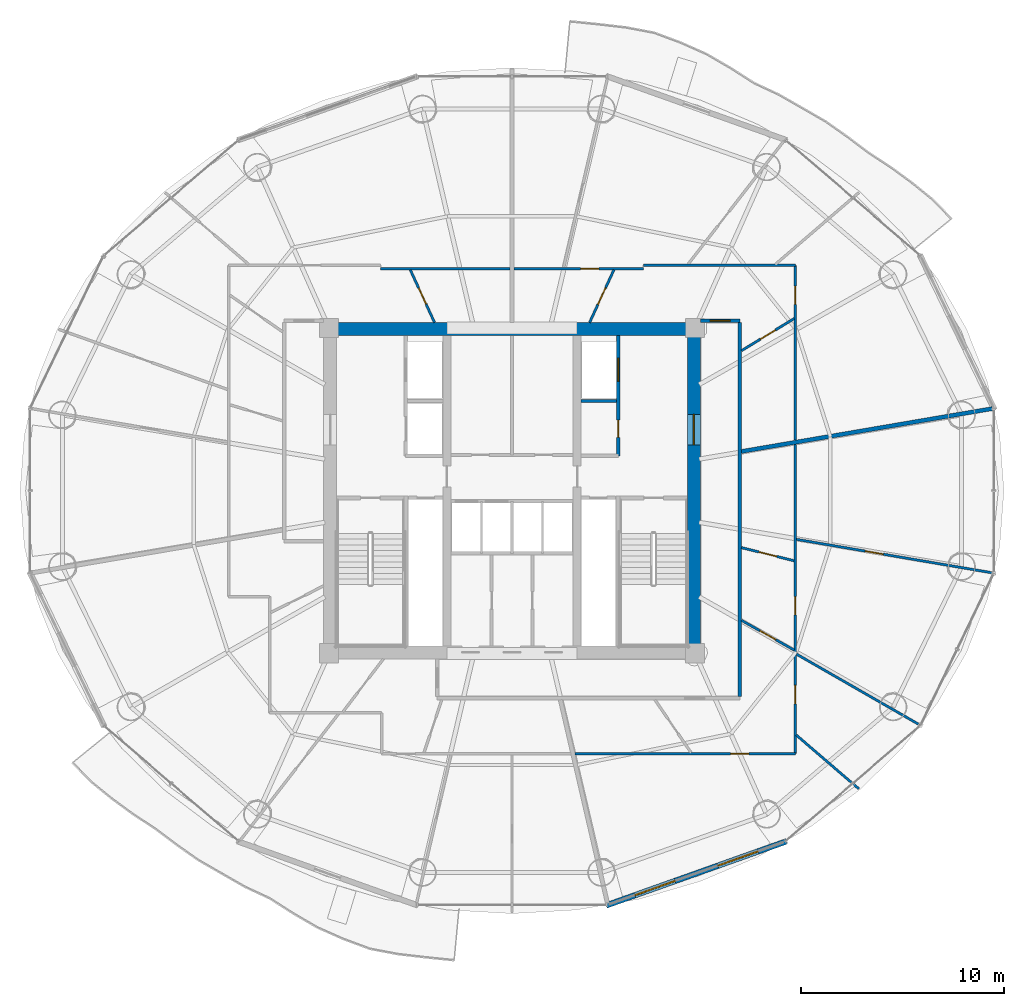
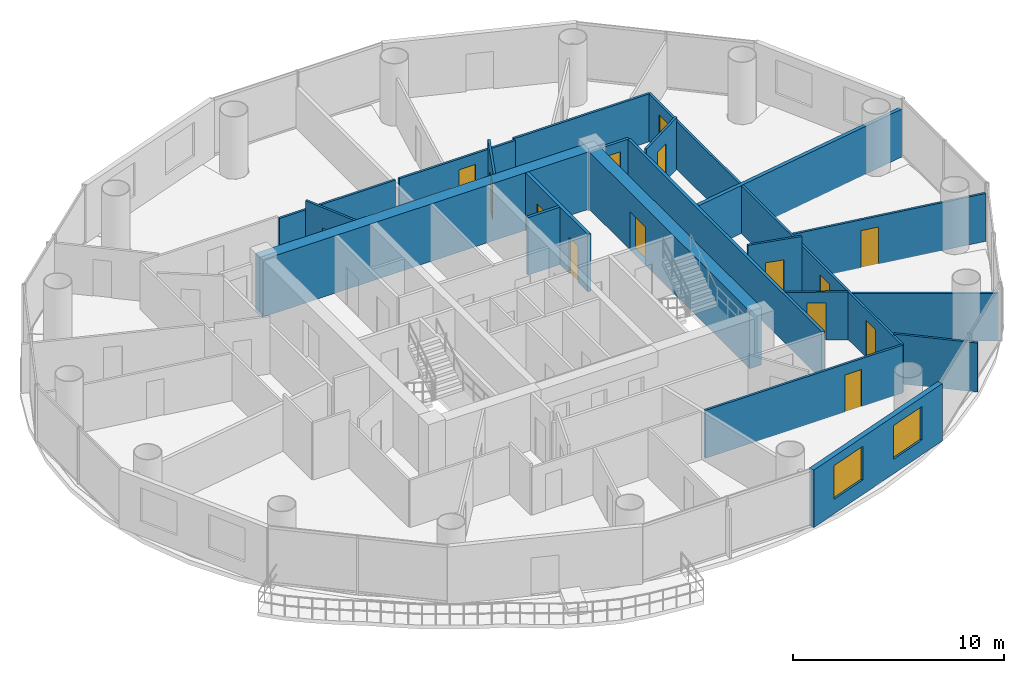
# One storey, part 22 of 26: 22 walls, 15 doors, 2 windows, 17 openings.
"""IFC4 building model written with IfcOpenShell, lengths in metres."""

import ifcopenshell
import ifcopenshell.guid

model = None  # the IFC model being written
_history = None  # IfcOwnerHistory: only IFC2X3 demands one
_inside = {}  # id of a spatial element -> (the spatial element, [elements in it])
_under = {}  # id of a project, library or spatial element -> (it, [spatial elements below it])
_declared = {}  # id of a project -> (the project, [libraries it declares])
_typed = {}  # id of a type object -> (the type object, [elements of that type])
_made_of = {}  # id of a material, layer set ... -> (it, [elements and type objects made of it])


def new_model(schema):
    """Start an empty IFC model of exactly this schema.

    Asked for "IFC4X3", IfcOpenShell would pick the latest addendum, in which some entities
    have other attributes; the version numbers below select the first issue.
    IFC2X3 requires an IfcOwnerHistory on every rooted entity: one is made here for all.
    """
    global model, _history
    if schema == "IFC4X3":
        model = ifcopenshell.file(schema_version=(4, 3, 0, 0))
    else:
        model = ifcopenshell.file(schema=schema)
    _inside.clear()
    _under.clear()
    _declared.clear()
    _typed.clear()
    _made_of.clear()
    _history = None
    if model.schema == "IFC2X3":
        org = make("IfcOrganization", Name="unknown")
        user = make(
            "IfcPersonAndOrganization",
            ThePerson=make("IfcPerson", FamilyName="unknown"),
            TheOrganization=org,
        )
        app = make(
            "IfcApplication",
            ApplicationDeveloper=org,
            Version="unknown",
            ApplicationFullName="unknown",
            ApplicationIdentifier="unknown",
        )
        _history = make(
            "IfcOwnerHistory",
            OwningUser=user,
            OwningApplication=app,
            ChangeAction="ADDED",
            CreationDate=0,
        )
    return model


def make(cls, **values):
    """One entity of the class cls with the attributes given. An attribute that is None is left unset."""
    return model.create_entity(
        cls, **{name: value for name, value in values.items() if value is not None}
    )


def rooted(cls, **values):
    """An entity with a GlobalId (a new one), such as an element, a storey or a relation."""
    return make(cls, GlobalId=ifcopenshell.guid.new(), OwnerHistory=_history, **values)


def si_unit(unit_type, name, prefix=None):
    """IfcSIUnit, for example si_unit("LENGTHUNIT", "METRE", prefix="MILLI")."""
    return make("IfcSIUnit", UnitType=unit_type, Prefix=prefix, Name=name)


def assignment(units):
    """IfcUnitAssignment: the units of a project."""
    return None if units is None else make("IfcUnitAssignment", Units=units)


def point(xyz):
    """IfcCartesianPoint."""
    return None if xyz is None else make("IfcCartesianPoint", Coordinates=xyz)


def direction(xyz):
    """IfcDirection."""
    return None if xyz is None else make("IfcDirection", DirectionRatios=xyz)


def frame(location, z_axis=None, x_axis=None):
    """IfcAxis2Placement3D, a coordinate frame: its origin and axes. An axis left out is left unset."""
    return make(
        "IfcAxis2Placement3D",
        Location=point(location),
        Axis=direction(z_axis),
        RefDirection=direction(x_axis),
    )


def frame_2d(location, x_axis=None):
    """IfcAxis2Placement2D, a coordinate frame in the plane: its origin and x axis."""
    return make(
        "IfcAxis2Placement2D", Location=point(location), RefDirection=direction(x_axis)
    )


def origin():
    """The frame at (0, 0, 0) with its axes left unset."""
    return frame((0.0, 0.0, 0.0))


def place(relative_to, where):
    """IfcLocalPlacement: puts the frame where relative to a parent placement (None: the world)."""
    return make(
        "IfcLocalPlacement", PlacementRelTo=relative_to, RelativePlacement=where
    )


def context(
    kind, dimensions, precision=None, world=None, true_north=None, identifier=None
):
    """IfcGeometricRepresentationContext, for example the 3D "Model" context."""
    return make(
        "IfcGeometricRepresentationContext",
        ContextIdentifier=identifier,
        ContextType=kind,
        CoordinateSpaceDimension=dimensions,
        Precision=precision,
        WorldCoordinateSystem=world,
        TrueNorth=true_north,
    )


def subcontext(parent, identifier, kind, view, scale=None):
    """IfcGeometricRepresentationSubContext, for example "Body" below "Model"."""
    return make(
        "IfcGeometricRepresentationSubContext",
        ContextIdentifier=identifier,
        ContextType=kind,
        ParentContext=parent,
        TargetScale=scale,
        TargetView=view,
    )


def project(units=None, contexts=None):
    """IfcProject with its units and contexts."""
    return rooted(
        "IfcProject",
        Name="project",
        RepresentationContexts=contexts,
        UnitsInContext=assignment(units),
    )


def spatial(cls, under=None, at=None, **own):
    """A site, building, storey or space (cls), placed at a placement, below another one or the project."""
    s = rooted(cls, ObjectPlacement=at, **own)
    if under is not None:
        _under.setdefault(under.id(), (under, []))[1].append(s)
    return s


def profile(cls, at=None, kind="AREA", **sizes):
    """A parametric profile (cls). Its sizes go by their IFC names, for example OverallWidth=200.0."""
    return make(cls, ProfileType=kind, Position=at, **sizes)


def rectangle(**sizes):
    """IfcRectangleProfileDef."""
    return profile("IfcRectangleProfileDef", **sizes)


def extrude(swept, where, along, depth):
    """IfcExtrudedAreaSolid: the profile swept, set in the frame where, extruded along a direction by depth."""
    return make(
        "IfcExtrudedAreaSolid",
        SweptArea=swept,
        Position=where,
        ExtrudedDirection=direction(along),
        Depth=depth,
    )


def shape(context_of_items, identifier, shape_type, items):
    """IfcShapeRepresentation: the items that make up one representation, for example the "Body"."""
    return make(
        "IfcShapeRepresentation",
        ContextOfItems=context_of_items,
        RepresentationIdentifier=identifier,
        RepresentationType=shape_type,
        Items=items,
    )


def source(mapping_origin, context_of_items, identifier, shape_type, items):
    """IfcRepresentationMap: a shape defined once, which mapped items show again and again."""
    return make(
        "IfcRepresentationMap",
        MappingOrigin=mapping_origin,
        MappedRepresentation=shape(context_of_items, identifier, shape_type, items),
    )


def transform(
    local_origin,
    x_axis=None,
    y_axis=None,
    z_axis=None,
    scale=None,
    scale2=None,
    scale3=None,
    uniform=True,
):
    """IfcCartesianTransformationOperator3D, or its non-uniform kind. x_axis, y_axis, z_axis: its Axis1, 2, 3."""
    if uniform:
        return make(
            "IfcCartesianTransformationOperator3D",
            Axis1=direction(x_axis),
            Axis2=direction(y_axis),
            LocalOrigin=point(local_origin),
            Scale=scale,
            Axis3=direction(z_axis),
        )
    return make(
        "IfcCartesianTransformationOperator3DnonUniform",
        Axis1=direction(x_axis),
        Axis2=direction(y_axis),
        LocalOrigin=point(local_origin),
        Scale=scale,
        Axis3=direction(z_axis),
        Scale2=scale2,
        Scale3=scale3,
    )


def mapped(mapping_source, mapping_target):
    """IfcMappedItem: shows the shape of a source again, moved by a transform."""
    return make(
        "IfcMappedItem", MappingSource=mapping_source, MappingTarget=mapping_target
    )


def material(Name=None, Category=None):
    """IfcMaterial."""
    return make("IfcMaterial", Name=Name, Category=Category)


def layer(
    of_material, thickness, ventilated=None, Name=None, Category=None, Priority=None
):
    """IfcMaterialLayer: one layer of a wall or slab, of a material (None: an air gap)."""
    return make(
        "IfcMaterialLayer",
        Material=of_material,
        LayerThickness=thickness,
        IsVentilated=ventilated,
        Name=Name,
        Category=Category,
        Priority=Priority,
    )


def layer_set(layers, Name=None):
    """IfcMaterialLayerSet."""
    return make("IfcMaterialLayerSet", MaterialLayers=layers, LayerSetName=Name)


def made_of(thing, what):
    """Note that an element or type object is made of a material, layer set ...; save() writes the relation."""
    if what is not None:
        _made_of.setdefault(what.id(), (what, []))[1].append(thing)
    return thing


def type_object(cls, material=None, **own):
    """A type object (cls), such as IfcWallType, which elements share."""
    return made_of(rooted(cls, **own), material)


def element(
    cls,
    number,
    at=None,
    inside=None,
    cuts=None,
    type_object=None,
    material=None,
    context=None,
    identifier="Body",
    shape_type=None,
    held_by="IfcProductDefinitionShape",
    body=None,
    shapes=None,
    **own,
):
    """One element of the class cls, such as IfcWall. Its Tag is "e" and its number.

    at: its placement. inside: the storey or other place that contains it. cuts: it is an
    opening in that element (IfcRelVoidsElement). A single representation is given by context,
    identifier, shape_type and body (its items); several are given by shapes. held_by: the class
    of the entity that holds the representations. save() writes the other relations.
    """
    e = rooted(cls, Tag="e%d" % number, ObjectPlacement=at, **own)
    if body is not None:
        shapes = [shape(context, identifier, shape_type, body)]
    if shapes is not None:
        e.Representation = make(held_by, Representations=shapes)
    if inside is not None:
        _inside.setdefault(inside.id(), (inside, []))[1].append(e)
    if cuts is not None:
        rooted(
            "IfcRelVoidsElement", RelatingBuildingElement=cuts, RelatedOpeningElement=e
        )
    if type_object is not None:
        _typed.setdefault(type_object.id(), (type_object, []))[1].append(e)
    return made_of(e, material)


def fill(opening, filler):
    """IfcRelFillsElement: the door or window that sits in an opening."""
    return rooted(
        "IfcRelFillsElement",
        RelatingOpeningElement=opening,
        RelatedBuildingElement=filler,
    )


def aggregate(whole, parts):
    """IfcRelAggregates: a whole, such as a stair, and the parts it consists of."""
    return rooted("IfcRelAggregates", RelatingObject=whole, RelatedObjects=parts)


def save(model, path):
    """Write the relations noted so far, then the file.

    IfcRelAggregates (storeys below a building ...), IfcRelContainedInSpatialStructure (elements
    in a storey), IfcRelDefinesByType, IfcRelAssociatesMaterial and IfcRelDeclares: one each for
    every whole, place, type object, material and project.
    """
    for whole, parts in _under.values():
        aggregate(whole, parts)
    for where, things in _inside.values():
        rooted(
            "IfcRelContainedInSpatialStructure",
            RelatedElements=things,
            RelatingStructure=where,
        )
    for kind, things in _typed.values():
        rooted("IfcRelDefinesByType", RelatedObjects=things, RelatingType=kind)
    for what, things in _made_of.values():
        rooted("IfcRelAssociatesMaterial", RelatedObjects=things, RelatingMaterial=what)
    for by, libraries in _declared.values():
        rooted("IfcRelDeclares", RelatingContext=by, RelatedDefinitions=libraries)
    model.write(path)


model = new_model("IFC4")

# Units and contexts
model_context = context("Model", 3, precision=1e-05, world=origin(), true_north=direction((-0.2419218956, 0.970295726276)))
body_context = subcontext(model_context, "Body", "Model", "MODEL_VIEW")
ifc_project = project(units=[si_unit("LENGTHUNIT", "METRE"), si_unit("AREAUNIT", "SQUARE_METRE"), si_unit("VOLUMEUNIT", "CUBIC_METRE"), si_unit("PLANEANGLEUNIT", "RADIAN"), si_unit("MASSUNIT", "GRAM", prefix="KILO")], contexts=[model_context])

# Site, building, storey
site_placement = place(None, origin())
site = spatial("IfcSite", under=ifc_project, at=site_placement, CompositionType="ELEMENT")
building_placement = place(site_placement, origin())
building = spatial("IfcBuilding", under=site, at=building_placement, Name="Cobrevalo Terracotta Tower", CompositionType="ELEMENT")
storey_placement = place(building_placement, frame((0.0, 0.0, 142.60009765625)))
storey = spatial("IfcBuildingStorey", under=building, at=storey_placement, Name="L37", CompositionType="ELEMENT", Elevation=142.60009765625)

# Wall
ifc_material_1 = material(Name="Concrete C55", Category="concrete")
ifc_layer_1 = layer(ifc_material_1, 0.64990234375)
ifc_layer_set_1 = layer_set([ifc_layer_1], Name="Concrete C55")
wall_type_1 = type_object("IfcWallType", Name="Core shear wall 650 mm Concrete C55", PredefinedType="SHEAR", material=ifc_layer_set_1)
wall_1_placement = place(storey_placement, frame((28.72509765625, 34.75, 0.0), z_axis=(0.0, 0.0, 1.0), x_axis=(1.0, 0.0, 0.0)))
element("IfcWall", 1, at=wall_1_placement, inside=storey, type_object=wall_type_1, Name="L37 north core shear wall", PredefinedType="SHEAR", context=body_context, shape_type="SweptSolid", body=[
    extrude(rectangle(XDim=18.5498046875, YDim=0.64990234375, at=frame_2d((9.27490234375, 0.0))), origin(), (0.0, 0.0, 1.0), 3.329833984375),
])

# Wall, opening, door
wall_2_placement = place(storey_placement, frame((46.949951171875, 19.175048828125, 0.0), z_axis=(0.0, 0.0, 1.0), x_axis=(0.0, 1.0, 0.0)))
wall_2 = element("IfcWall", 2, at=wall_2_placement, inside=storey, type_object=wall_type_1, Name="L37 east core shear wall", PredefinedType="SHEAR", context=body_context, shape_type="SweptSolid", body=[
    extrude(rectangle(XDim=15.25, YDim=0.64990234375, at=frame_2d((7.625, 0.0))), origin(), (0.0, 0.0, 1.0), 3.329833984375),
])
opening_1_placement = place(wall_2_placement, frame((9.875, 0.0, 0.0)))
opening_1 = element("IfcOpeningElement", 3, at=opening_1_placement, cuts=wall_2, Name="Opening ID-14", PredefinedType="OPENING", context=body_context, shape_type="SweptSolid", body=[
    extrude(rectangle(XDim=1.5, YDim=2.199951171875, at=frame_2d((0.75, 1.10009765625))), frame((0.0, 0.3349609375, 0.0), z_axis=(0.0, -1.0, 0.0), x_axis=(1.0, 0.0, 0.0)), (0.0, 0.0, 1.0), 0.669921875),
])
ifc_material_2 = material(Name="Galvanized fire-rated steel", Category="steel")
door_type_1 = type_object("IfcDoorType", Name="Core cross-lobby double fire door 1500x2200 EI 90", OperationType="NOTDEFINED", PredefinedType="DOOR", material=ifc_material_2)
shared_shape_1 = source(origin(), body_context, "Body", "SweptSolid", [
    extrude(rectangle(XDim=1.5, YDim=2.199951171875, at=frame_2d((0.75, 1.10009765625))), frame((0.0, 0.02490234375, 0.0), z_axis=(0.0, -1.0, 0.0), x_axis=(1.0, 0.0, 0.0)), (0.0, 0.0, 1.0), 0.050048828125),
])
door_1_placement = place(opening_1_placement, frame((1.5, 0.0, 0.0), z_axis=(0.0, 0.0, 1.0), x_axis=(-1.0, 0.0, 0.0)))
door_1 = element("IfcDoor", 4, at=door_1_placement, inside=storey, type_object=door_type_1, Name="L37 east firefighting lobby entrance door", OperationType="DOUBLE_DOOR_SINGLE_SWING", OverallHeight=2.199951171875, OverallWidth=1.5, PredefinedType="DOOR", context=body_context, shape_type="MappedRepresentation", body=[
    mapped(shared_shape_1, transform((0.0, 0.0, 0.0), scale=1.0)),
])
fill(opening_1, door_1)

# Walls
ifc_material_3 = material(Name="Gypsum board on steel stud", Category="steel")
ifc_layer_2 = layer(ifc_material_3, 0.159912109375)
ifc_layer_set_2 = layer_set([ifc_layer_2], Name="Gypsum board on steel stud")
wall_type_2 = type_object("IfcWallType", Name="Fire-rated corridor acoustic partition wall 160 mm", PredefinedType="PARTITIONING", material=ifc_layer_set_2)
wall_3_placement = place(storey_placement, frame((41.389892578125, 31.219970703125, 0.0), z_axis=(0.0, 0.0, 1.0), x_axis=(1.0, 0.0, 0.0)))
element("IfcWall", 5, at=wall_3_placement, inside=storey, type_object=wall_type_2, Name="L37 interior partition IW-L37-FF2-M", PredefinedType="PARTITIONING", context=body_context, shape_type="SweptSolid", body=[
    extrude(rectangle(XDim=1.75, YDim=0.159912109375, at=frame_2d((0.875, 0.0))), origin(), (0.0, 0.0, 1.0), 3.329833984375),
])
wall_4_placement = place(storey_placement, frame((49.205078125, 16.675048828125, 0.0), z_axis=(0.0, 0.0, 1.0), x_axis=(0.0, 1.0, 0.0)))
element("IfcWall", 6, at=wall_4_placement, inside=storey, type_object=wall_type_2, Name="L37 interior partition IW-L37-COR-E", PredefinedType="PARTITIONING", context=body_context, shape_type="SweptSolid", body=[
    extrude(rectangle(XDim=18.39990234375, YDim=0.159912109375, at=frame_2d((9.199951171875, 0.0))), origin(), (0.0, 0.0, 1.0), 2.77587890625),
])

# Wall, opening, door
wall_5_placement = place(storey_placement, frame((47.27490234375, 35.155029296875, 0.0), z_axis=(0.0, 0.0, 1.0), x_axis=(1.0, 0.0, 0.0)))
wall_5 = element("IfcWall", 7, at=wall_5_placement, inside=storey, type_object=wall_type_2, Name="L37 interior partition IW-L37-COR-EN-CAP", PredefinedType="PARTITIONING", context=body_context, shape_type="SweptSolid", body=[
    extrude(rectangle(XDim=1.93017578125, YDim=0.159912109375, at=frame_2d((0.965087890625, 0.0))), origin(), (0.0, 0.0, 1.0), 2.77587890625),
])
opening_2_placement = place(wall_5_placement, frame((0.47509765625, 0.0, 0.0)))
opening_2 = element("IfcOpeningElement", 8, at=opening_2_placement, cuts=wall_5, Name="Opening ID-05", PredefinedType="OPENING", context=body_context, shape_type="SweptSolid", body=[
    extrude(rectangle(XDim=0.97998046875, YDim=2.199951171875, at=frame_2d((0.489990234375, 1.10009765625))), frame((0.0, 0.08984375, 0.0), z_axis=(0.0, -1.0, 0.0), x_axis=(1.0, 0.0, 0.0)), (0.0, 0.0, 1.0), 0.179931640625),
])
ifc_material_4 = material(Name="Solid hardwood timber", Category="wood")
door_type_2 = type_object("IfcDoorType", Name="Residence entrance fire-rated acoustic timber door 980x2200 EI 60", OperationType="NOTDEFINED", PredefinedType="DOOR", material=ifc_material_4)
shared_shape_2 = source(origin(), body_context, "Body", "SweptSolid", [
    extrude(rectangle(XDim=0.97998046875, YDim=2.199951171875, at=frame_2d((0.489990234375, 1.10009765625))), frame((0.0, 0.02490234375, 0.0), z_axis=(0.0, -1.0, 0.0), x_axis=(1.0, 0.0, 0.0)), (0.0, 0.0, 1.0), 0.050048828125),
])
door_2_placement = place(opening_2_placement, origin())
door_2 = element("IfcDoor", 9, at=door_2_placement, inside=storey, type_object=door_type_2, Name="Flat L37A fire-rated apartment entrance door", OperationType="SINGLE_SWING_LEFT", OverallHeight=2.199951171875, OverallWidth=0.97998046875, PredefinedType="DOOR", context=body_context, shape_type="MappedRepresentation", body=[
    mapped(shared_shape_2, transform((0.0, 0.0, 0.0), scale=1.0)),
])
fill(opening_2, door_2)

# Wall, openings, doors
ifc_layer_3 = layer(ifc_material_3, 0.179931640625)
ifc_layer_set_3 = layer_set([ifc_layer_3], Name="Gypsum board on steel stud")
wall_type_3 = type_object("IfcWallType", Name="Fire-rated shaft & lobby acoustic partition wall 180 mm", PredefinedType="PARTITIONING", material=ifc_layer_set_3)
wall_6_placement = place(storey_placement, frame((43.22998046875, 28.52001953125, 0.0), z_axis=(0.0, 0.0, 1.0), x_axis=(0.0, 1.0, 0.0)))
wall_6 = element("IfcWall", 10, at=wall_6_placement, inside=storey, type_object=wall_type_3, Name="L37 interior partition IW-L37-FF2-E", PredefinedType="PARTITIONING", context=body_context, shape_type="SweptSolid", body=[
    extrude(rectangle(XDim=5.905029296875, YDim=0.179931640625, at=frame_2d((2.95263671875, 0.0))), origin(), (0.0, 0.0, 1.0), 3.329833984375),
])
opening_3_placement = place(wall_6_placement, frame((0.905029296875, 0.0, 0.0)))
opening_3 = element("IfcOpeningElement", 11, at=opening_3_placement, cuts=wall_6, Name="Opening ID-22", PredefinedType="OPENING", context=body_context, shape_type="SweptSolid", body=[
    extrude(rectangle(XDim=0.85009765625, YDim=2.10009765625, at=frame_2d((0.425048828125, 1.050048828125))), frame((0.0, 0.10009765625, 0.0), z_axis=(0.0, -1.0, 0.0), x_axis=(1.0, 0.0, 0.0)), (0.0, 0.0, 1.0), 0.199951171875),
])
opening_4_placement = place(wall_6_placement, frame((3.655029296875, 0.0, 0.0)))
opening_4 = element("IfcOpeningElement", 12, at=opening_4_placement, cuts=wall_6, Name="Opening LD-02", PredefinedType="OPENING", context=body_context, shape_type="SweptSolid", body=[
    extrude(rectangle(XDim=1.14990234375, YDim=2.199951171875, at=frame_2d((0.574951171875, 1.10009765625))), frame((0.0, 0.10009765625, 0.0), z_axis=(0.0, -1.0, 0.0), x_axis=(1.0, 0.0, 0.0)), (0.0, 0.0, 1.0), 0.199951171875),
])
ifc_material_5 = material(Name="Powder-coated steel", Category="steel")
door_type_3 = type_object("IfcDoorType", Name="Riser shaft & meter closet fire access door 850x2100 EI 60", OperationType="NOTDEFINED", PredefinedType="DOOR", material=ifc_material_5)
shared_shape_3 = source(origin(), body_context, "Body", "SweptSolid", [
    extrude(rectangle(XDim=0.85009765625, YDim=2.10009765625, at=frame_2d((0.425048828125, 1.050048828125))), frame((0.0, 0.02490234375, 0.0), z_axis=(0.0, -1.0, 0.0), x_axis=(1.0, 0.0, 0.0)), (0.0, 0.0, 1.0), 0.050048828125),
])
door_3_placement = place(opening_3_placement, frame((0.85009765625, 0.0, 0.0), z_axis=(0.0, 0.0, 1.0), x_axis=(-1.0, 0.0, 0.0)))
door_3 = element("IfcDoor", 13, at=door_3_placement, inside=storey, type_object=door_type_3, Name="L37 housekeeping store door", OperationType="SINGLE_SWING_RIGHT", OverallHeight=2.10009765625, OverallWidth=0.85009765625, PredefinedType="DOOR", context=body_context, shape_type="MappedRepresentation", body=[
    mapped(shared_shape_3, transform((0.0, 0.0, 0.0), scale=1.0)),
])
fill(opening_3, door_3)
ifc_material_6 = material(Name="Brushed stainless steel", Category="steel")
door_type_4 = type_object("IfcDoorType", Name="Firefighting lift landing bi-parting sliding door 1150x2200 EI 120", OperationType="DOUBLE_DOOR_SLIDING", PredefinedType="DOOR", material=ifc_material_6)
shared_shape_4 = source(origin(), body_context, "Body", "SweptSolid", [
    extrude(rectangle(XDim=1.14990234375, YDim=2.199951171875, at=frame_2d((0.574951171875, 1.10009765625))), frame((0.0, 0.02490234375, 0.0), z_axis=(0.0, -1.0, 0.0), x_axis=(1.0, 0.0, 0.0)), (0.0, 0.0, 1.0), 0.050048828125),
])
door_4_placement = place(opening_4_placement, origin())
door_4 = element("IfcDoor", 14, at=door_4_placement, inside=storey, type_object=door_type_4, Name="L37 lift landing door FF-2", OperationType="DOUBLE_DOOR_SLIDING", OverallHeight=2.199951171875, OverallWidth=1.14990234375, PredefinedType="DOOR", context=body_context, shape_type="MappedRepresentation", body=[
    mapped(shared_shape_4, transform((0.0, 0.0, 0.0), scale=1.0)),
])
fill(opening_4, door_4)

# Wall
ifc_material_7 = material(Name="Autoclaved aerated concrete block", Category="concrete")
ifc_layer_4 = layer(ifc_material_7, 0.199951171875)
ifc_layer_set_4 = layer_set([ifc_layer_4], Name="Autoclaved aerated concrete block")
wall_type_4 = type_object("IfcWallType", Name="Fire-rated stair, shaft & demising masonry wall 200 mm", PredefinedType="PARTITIONING", material=ifc_layer_set_4)
wall_7_placement = place(storey_placement, frame((49.286865234375, 28.729736328125, 0.0), z_axis=(0.0, 0.0, 1.0), x_axis=(0.985698993845, 0.168515558725, 0.0)))
element("IfcWall", 15, at=wall_7_placement, inside=storey, type_object=wall_type_4, Name="L37 interior partition IW-L37-DEM-1", PredefinedType="PARTITIONING", context=body_context, shape_type="SweptSolid", body=[
    extrude(rectangle(XDim=12.517333984375, YDim=0.199951171875, at=frame_2d((6.2587890625, 0.0))), origin(), (0.0, 0.0, 1.0), 2.77587890625),
])

# Wall, openings, windows
ifc_layer_5 = layer(ifc_material_7, 0.280029296875)
ifc_layer_set_5 = layer_set([ifc_layer_5], Name="Autoclaved aerated concrete block")
wall_type_5 = type_object("IfcWallType", Name="Insulated tower spandrel & pier wall 280 mm with terracotta rainscreen", PredefinedType="SOLIDWALL", material=ifc_layer_set_5)
wall_8_placement = place(storey_placement, frame((42.639892578125, 6.40234375, 0.0), z_axis=(0.0, 0.0, 1.0), x_axis=(0.942103604331, 0.335321932934, 0.0)))
wall_8 = element("IfcWall", 16, at=wall_8_placement, inside=storey, type_object=wall_type_5, Name="L37 terracotta rainscreen pier wall S13", PredefinedType="SOLIDWALL", context=body_context, shape_type="SweptSolid", body=[
    extrude(rectangle(XDim=9.408203125, YDim=0.280029296875, at=frame_2d((4.7041015625, 0.0))), origin(), (0.0, 0.0, 1.0), 3.329833984375),
])
opening_5_placement = place(wall_8_placement, frame((1.490234375, 0.0, 0.85009765625)))
opening_5 = element("IfcOpeningElement", 17, at=opening_5_placement, cuts=wall_8, Name="Opening WN-10", PredefinedType="OPENING", context=body_context, shape_type="SweptSolid", body=[
    extrude(rectangle(XDim=2.10009765625, YDim=1.949951171875, at=frame_2d((1.050048828125, 0.97509765625))), frame((0.0, 0.14990234375, 0.0), z_axis=(0.0, -1.0, 0.0), x_axis=(1.0, 0.0, 0.0)), (0.0, 0.0, 1.0), 0.300048828125),
])
opening_6_placement = place(wall_8_placement, frame((5.818115234375, 0.0, 0.85009765625)))
opening_6 = element("IfcOpeningElement", 18, at=opening_6_placement, cuts=wall_8, Name="Opening WN-10", PredefinedType="OPENING", context=body_context, shape_type="SweptSolid", body=[
    extrude(rectangle(XDim=2.10009765625, YDim=1.949951171875, at=frame_2d((1.050048828125, 0.97509765625))), frame((0.0, 0.14990234375, 0.0), z_axis=(0.0, -1.0, 0.0), x_axis=(1.0, 0.0, 0.0)), (0.0, 0.0, 1.0), 0.300048828125),
])
ifc_material_8 = material(Name="Solar-control low-E double glazing", Category="glass")
window_type = type_object("IfcWindowType", Name="Wide panoramic low-E aluminium window 2100x1950", PartitioningType="SINGLE_PANEL", PredefinedType="WINDOW", material=ifc_material_8)
shared_shape_5 = source(origin(), body_context, "Body", "SweptSolid", [
    extrude(rectangle(XDim=2.10009765625, YDim=1.949951171875, at=frame_2d((1.050048828125, 0.97509765625))), frame((0.0, 0.030029296875, 0.0), z_axis=(0.0, -1.0, 0.0), x_axis=(1.0, 0.0, 0.0)), (0.0, 0.0, 1.0), 0.06005859375),
])
window_1_placement = place(opening_5_placement, origin())
window_1 = element("IfcWindow", 19, at=window_1_placement, inside=storey, type_object=window_type, Name="L37 suite window S13A", OverallHeight=1.949951171875, OverallWidth=2.10009765625, PartitioningType="SINGLE_PANEL", PredefinedType="WINDOW", context=body_context, shape_type="MappedRepresentation", body=[
    mapped(shared_shape_5, transform((0.0, 0.0, 0.0), scale=1.0)),
])
fill(opening_5, window_1)
window_2_placement = place(opening_6_placement, origin())
window_2 = element("IfcWindow", 20, at=window_2_placement, inside=storey, type_object=window_type, Name="L37 suite window S13B", OverallHeight=1.949951171875, OverallWidth=2.10009765625, PartitioningType="SINGLE_PANEL", PredefinedType="WINDOW", context=body_context, shape_type="MappedRepresentation", body=[
    mapped(shared_shape_5, transform((0.0, 0.0, 0.0), scale=1.0)),
])
fill(opening_6, window_2)

# Wall, opening, door
ifc_layer_6 = layer(ifc_material_3, 0.1201171875)
ifc_layer_set_6 = layer_set([ifc_layer_6], Name="Gypsum board on steel stud")
wall_type_6 = type_object("IfcWallType", Name="Residential internal acoustic stud partition 120 mm", PredefinedType="PARTITIONING", material=ifc_layer_set_6)
wall_9_placement = place(storey_placement, frame((38.10205078125, 37.72509765625, 0.0), z_axis=(0.0, 0.0, 1.0), x_axis=(1.0, 0.0, 0.0)))
wall_9 = element("IfcWall", 21, at=wall_9_placement, inside=storey, type_object=wall_type_6, Name="L37 interior partition IW-L37-U1-RING0_0", PredefinedType="PARTITIONING", context=body_context, shape_type="SweptSolid", body=[
    extrude(rectangle(XDim=6.363037109375, YDim=0.1201171875, at=frame_2d((3.181640625, 0.0))), origin(), (0.0, 0.0, 1.0), 2.77587890625),
])
opening_7_placement = place(wall_9_placement, frame((3.272216796875, 0.0, 0.0)))
opening_7 = element("IfcOpeningElement", 22, at=opening_7_placement, cuts=wall_9, Name="Opening ID-12", PredefinedType="OPENING", context=body_context, shape_type="SweptSolid", body=[
    extrude(rectangle(XDim=0.89990234375, YDim=2.14990234375, at=frame_2d((0.449951171875, 1.074951171875))), frame((0.0, 0.070068359375, 0.0), z_axis=(0.0, -1.0, 0.0), x_axis=(1.0, 0.0, 0.0)), (0.0, 0.0, 1.0), 0.14013671875),
])
ifc_material_9 = material(Name="Engineered timber", Category="wood")
door_type_5 = type_object("IfcDoorType", Name="Internal residence & suite timber door 900x2150", OperationType="NOTDEFINED", PredefinedType="DOOR", material=ifc_material_9)
shared_shape_6 = source(origin(), body_context, "Body", "SweptSolid", [
    extrude(rectangle(XDim=0.89990234375, YDim=2.14990234375, at=frame_2d((0.449951171875, 1.074951171875))), frame((0.0, 0.02490234375, 0.0), z_axis=(0.0, -1.0, 0.0), x_axis=(1.0, 0.0, 0.0)), (0.0, 0.0, 1.0), 0.050048828125),
])
door_5_placement = place(opening_7_placement, origin())
door_5 = element("IfcDoor", 23, at=door_5_placement, inside=storey, type_object=door_type_5, Name="Flat L37A Penthouse Family Lounge internal door", OperationType="SINGLE_SWING_LEFT", OverallHeight=2.14990234375, OverallWidth=0.89990234375, PredefinedType="DOOR", context=body_context, shape_type="MappedRepresentation", body=[
    mapped(shared_shape_6, transform((0.0, 0.0, 0.0), scale=1.0)),
])
fill(opening_7, door_5)

# Wall
wall_10_placement = place(storey_placement, frame((44.465087890625, 37.885009765625, 0.0), z_axis=(0.0, 0.0, 1.0), x_axis=(1.0, 0.0, 0.0)))
element("IfcWall", 24, at=wall_10_placement, inside=storey, type_object=wall_type_6, Name="L37 interior partition IW-L37-U1-RING2_0", PredefinedType="PARTITIONING", context=body_context, shape_type="SweptSolid", body=[
    extrude(rectangle(XDim=7.469970703125, YDim=0.1201171875, at=frame_2d((3.73486328125, 0.0))), origin(), (0.0, 0.0, 1.0), 2.77587890625),
])

# Wall, opening, door
wall_11_placement = place(storey_placement, frame((51.93505859375, 37.885009765625, 0.0), z_axis=(0.0, 0.0, 1.0), x_axis=(0.0, -1.0, 0.0)))
wall_11 = element("IfcWall", 25, at=wall_11_placement, inside=storey, type_object=wall_type_6, Name="L37 interior partition IW-L37-U1-RING3_0", PredefinedType="PARTITIONING", context=body_context, shape_type="SweptSolid", body=[
    extrude(rectangle(XDim=8.6005859375, YDim=0.1201171875, at=frame_2d((4.30029296875, 0.0))), origin(), (0.0, 0.0, 1.0), 2.77587890625),
])
opening_8_placement = place(wall_11_placement, frame((1.021240234375, 0.0, 0.0)))
opening_8 = element("IfcOpeningElement", 26, at=opening_8_placement, cuts=wall_11, Name="Opening ID-12", PredefinedType="OPENING", context=body_context, shape_type="SweptSolid", body=[
    extrude(rectangle(XDim=0.89990234375, YDim=2.14990234375, at=frame_2d((0.449951171875, 1.074951171875))), frame((0.0, 0.070068359375, 0.0), z_axis=(0.0, -1.0, 0.0), x_axis=(1.0, 0.0, 0.0)), (0.0, 0.0, 1.0), 0.14013671875),
])
door_6_placement = place(opening_8_placement, origin())
door_6 = element("IfcDoor", 27, at=door_6_placement, inside=storey, type_object=door_type_5, Name="Flat L37A Living and Dining Room internal door", OperationType="SINGLE_SWING_LEFT", OverallHeight=2.14990234375, OverallWidth=0.89990234375, PredefinedType="DOOR", context=body_context, shape_type="MappedRepresentation", body=[
    mapped(shared_shape_6, transform((0.0, 0.0, 0.0), scale=1.0)),
])
fill(opening_8, door_6)

wall_12_placement = place(storey_placement, frame((49.28662109375, 33.6875, 0.0), z_axis=(0.0, 0.0, 1.0), x_axis=(0.853628993111, 0.520881504874, 0.0)))
wall_12 = element("IfcWall", 28, at=wall_12_placement, inside=storey, type_object=wall_type_6, Name="L37 interior partition IW-L37-U1-IRAD1", PredefinedType="PARTITIONING", context=body_context, shape_type="SweptSolid", body=[
    extrude(rectangle(XDim=3.04052734375, YDim=0.1201171875, at=frame_2d((1.520263671875, 0.0))), origin(), (0.0, 0.0, 1.0), 3.0048828125),
])
opening_9_placement = place(wall_12_placement, frame((1.090087890625, 0.0, 0.0)))
opening_9 = element("IfcOpeningElement", 29, at=opening_9_placement, cuts=wall_12, Name="Opening ID-19", PredefinedType="OPENING", context=body_context, shape_type="SweptSolid", body=[
    extrude(rectangle(XDim=0.860107421875, YDim=2.14990234375, at=frame_2d((0.43017578125, 1.074951171875))), frame((0.0, 0.070068359375, 0.0), z_axis=(0.0, -1.0, 0.0), x_axis=(1.0, 0.0, 0.0)), (0.0, 0.0, 1.0), 0.14013671875),
])
ifc_material_10 = material(Name="Moisture-sealed timber", Category="wood")
door_type_6 = type_object("IfcDoorType", Name="Suite bathroom internal timber door 860x2150", OperationType="NOTDEFINED", PredefinedType="DOOR", material=ifc_material_10)
shared_shape_7 = source(origin(), body_context, "Body", "SweptSolid", [
    extrude(rectangle(XDim=0.860107421875, YDim=2.14990234375, at=frame_2d((0.43017578125, 1.074951171875))), frame((0.0, 0.02490234375, 0.0), z_axis=(0.0, -1.0, 0.0), x_axis=(1.0, 0.0, 0.0)), (0.0, 0.0, 1.0), 0.050048828125),
])
door_7_placement = place(opening_9_placement, frame((0.860107421875, 0.0, 0.0), z_axis=(0.0, 0.0, 1.0), x_axis=(-1.0, 0.0, 0.0)))
door_7 = element("IfcDoor", 30, at=door_7_placement, inside=storey, type_object=door_type_6, Name="Flat L37A Primary Bathroom internal door", OperationType="SINGLE_SWING_RIGHT", OverallHeight=2.14990234375, OverallWidth=0.860107421875, PredefinedType="DOOR", context=body_context, shape_type="MappedRepresentation", body=[
    mapped(shared_shape_7, transform((0.0, 0.0, 0.0), scale=1.0)),
])
fill(opening_9, door_7)

wall_13_placement = place(storey_placement, frame((41.8173828125, 35.074951171875, 0.0), z_axis=(0.0, 0.0, 1.0), x_axis=(0.418890148101, 0.908036917655, 0.0)))
wall_13 = element("IfcWall", 31, at=wall_13_placement, inside=storey, type_object=wall_type_6, Name="L37 interior partition IW-L37-U1-IRAD2", PredefinedType="PARTITIONING", context=body_context, shape_type="SweptSolid", body=[
    extrude(rectangle(XDim=2.8564453125, YDim=0.1201171875, at=frame_2d((1.42822265625, 0.0))), origin(), (0.0, 0.0, 1.0), 3.329833984375),
])
opening_10_placement = place(wall_13_placement, frame((0.978271484375, 0.0, 0.0)))
opening_10 = element("IfcOpeningElement", 32, at=opening_10_placement, cuts=wall_13, Name="Opening ID-12", PredefinedType="OPENING", context=body_context, shape_type="SweptSolid", body=[
    extrude(rectangle(XDim=0.89990234375, YDim=2.14990234375, at=frame_2d((0.449951171875, 1.074951171875))), frame((0.0, 0.070068359375, 0.0), z_axis=(0.0, -1.0, 0.0), x_axis=(1.0, 0.0, 0.0)), (0.0, 0.0, 1.0), 0.14013671875),
])
door_8_placement = place(opening_10_placement, origin())
door_8 = element("IfcDoor", 33, at=door_8_placement, inside=storey, type_object=door_type_5, Name="Flat L37A Kitchen internal door", OperationType="SINGLE_SWING_RIGHT", OverallHeight=2.14990234375, OverallWidth=0.89990234375, PredefinedType="DOOR", context=body_context, shape_type="MappedRepresentation", body=[
    mapped(shared_shape_6, transform((0.0, 0.0, 0.0), scale=1.0)),
])
fill(opening_10, door_8)

# Wall
wall_14_placement = place(storey_placement, frame((31.534912109375, 37.72509765625, 0.0), z_axis=(0.0, 0.0, 1.0), x_axis=(1.0, 0.0, 0.0)))
element("IfcWall", 34, at=wall_14_placement, inside=storey, type_object=wall_type_6, Name="L37 interior partition IW-L37-U2-RING3_0", PredefinedType="PARTITIONING", context=body_context, shape_type="SweptSolid", body=[
    extrude(rectangle(XDim=6.363037109375, YDim=0.1201171875, at=frame_2d((3.181640625, 0.0))), origin(), (0.0, 0.0, 1.0), 2.77587890625),
])

# Wall, opening, door
wall_15_placement = place(storey_placement, frame((34.190185546875, 35.074951171875, 0.0), z_axis=(0.0, 0.0, 1.0), x_axis=(-0.418255585009, 0.908329381672, 0.0)))
wall_15 = element("IfcWall", 35, at=wall_15_placement, inside=storey, type_object=wall_type_6, Name="L37 interior partition IW-L37-U2-IRAD1", PredefinedType="PARTITIONING", context=body_context, shape_type="SweptSolid", body=[
    extrude(rectangle(XDim=2.85546875, YDim=0.1201171875, at=frame_2d((1.427734375, 0.0))), origin(), (0.0, 0.0, 1.0), 3.329833984375),
])
opening_11_placement = place(wall_15_placement, frame((0.997802734375, 0.0, 0.0)))
opening_11 = element("IfcOpeningElement", 36, at=opening_11_placement, cuts=wall_15, Name="Opening ID-19", PredefinedType="OPENING", context=body_context, shape_type="SweptSolid", body=[
    extrude(rectangle(XDim=0.860107421875, YDim=2.14990234375, at=frame_2d((0.43017578125, 1.074951171875))), frame((0.0, 0.070068359375, 0.0), z_axis=(0.0, -1.0, 0.0), x_axis=(1.0, 0.0, 0.0)), (0.0, 0.0, 1.0), 0.14013671875),
])
door_9_placement = place(opening_11_placement, frame((0.860107421875, 0.0, 0.0), z_axis=(0.0, 0.0, 1.0), x_axis=(-1.0, 0.0, 0.0)))
door_9 = element("IfcDoor", 37, at=door_9_placement, inside=storey, type_object=door_type_6, Name="Flat L37B Primary Bathroom internal door", OperationType="SINGLE_SWING_LEFT", OverallHeight=2.14990234375, OverallWidth=0.860107421875, PredefinedType="DOOR", context=body_context, shape_type="MappedRepresentation", body=[
    mapped(shared_shape_7, transform((0.0, 0.0, 0.0), scale=1.0)),
])
fill(opening_11, door_9)

# Wall, openings, doors
wall_16_placement = place(storey_placement, frame((51.93505859375, 29.080322265625, 0.0), z_axis=(0.0, 0.0, 1.0), x_axis=(0.0, -1.0, 0.0)))
wall_16 = element("IfcWall", 38, at=wall_16_placement, inside=storey, type_object=wall_type_6, Name="L37 interior partition IW-L37-U4-RING0_0", PredefinedType="PARTITIONING", context=body_context, shape_type="SweptSolid", body=[
    extrude(rectangle(XDim=15.21533203125, YDim=0.1201171875, at=frame_2d((7.607666015625, 0.0))), origin(), (0.0, 0.0, 1.0), 2.77587890625),
])
opening_12_placement = place(wall_16_placement, frame((11.85888671875, 0.0, 0.0)))
opening_12 = element("IfcOpeningElement", 39, at=opening_12_placement, cuts=wall_16, Name="Opening ID-12", PredefinedType="OPENING", context=body_context, shape_type="SweptSolid", body=[
    extrude(rectangle(XDim=0.89990234375, YDim=2.14990234375, at=frame_2d((0.449951171875, 1.074951171875))), frame((0.0, 0.070068359375, 0.0), z_axis=(0.0, -1.0, 0.0), x_axis=(1.0, 0.0, 0.0)), (0.0, 0.0, 1.0), 0.14013671875),
])
opening_13_placement = place(wall_16_placement, frame((7.490478515625, 0.0, 0.0)))
opening_13 = element("IfcOpeningElement", 40, at=opening_13_placement, cuts=wall_16, Name="Opening ID-12", PredefinedType="OPENING", context=body_context, shape_type="SweptSolid", body=[
    extrude(rectangle(XDim=0.89990234375, YDim=2.14990234375, at=frame_2d((0.449951171875, 1.074951171875))), frame((0.0, 0.070068359375, 0.0), z_axis=(0.0, -1.0, 0.0), x_axis=(1.0, 0.0, 0.0)), (0.0, 0.0, 1.0), 0.14013671875),
])
door_10_placement = place(opening_12_placement, origin())
door_10 = element("IfcDoor", 41, at=door_10_placement, inside=storey, type_object=door_type_5, Name="Flat L37D Master Bedroom internal door", OperationType="SINGLE_SWING_LEFT", OverallHeight=2.14990234375, OverallWidth=0.89990234375, PredefinedType="DOOR", context=body_context, shape_type="MappedRepresentation", body=[
    mapped(shared_shape_6, transform((0.0, 0.0, 0.0), scale=1.0)),
])
fill(opening_12, door_10)
door_11_placement = place(opening_13_placement, origin())
door_11 = element("IfcDoor", 42, at=door_11_placement, inside=storey, type_object=door_type_5, Name="Flat L37D Principal Guest Bedroom internal door", OperationType="SINGLE_SWING_RIGHT", OverallHeight=2.14990234375, OverallWidth=0.89990234375, PredefinedType="DOOR", context=body_context, shape_type="MappedRepresentation", body=[
    mapped(shared_shape_6, transform((0.0, 0.0, 0.0), scale=1.0)),
])
fill(opening_13, door_11)

# Wall, opening, door
wall_17_placement = place(storey_placement, frame((51.93505859375, 13.864990234375, 0.0), z_axis=(0.0, 0.0, 1.0), x_axis=(-1.0, 0.0, 0.0)))
wall_17 = element("IfcWall", 43, at=wall_17_placement, inside=storey, type_object=wall_type_6, Name="L37 interior partition IW-L37-U4-RING1_0", PredefinedType="PARTITIONING", context=body_context, shape_type="SweptSolid", body=[
    extrude(rectangle(XDim=10.839599609375, YDim=0.1201171875, at=frame_2d((5.419921875, 0.0))), origin(), (0.0, 0.0, 1.0), 2.77587890625),
])
opening_14_placement = place(wall_17_placement, frame((2.281005859375, 0.0, 0.0)))
opening_14 = element("IfcOpeningElement", 44, at=opening_14_placement, cuts=wall_17, Name="Opening ID-12", PredefinedType="OPENING", context=body_context, shape_type="SweptSolid", body=[
    extrude(rectangle(XDim=0.89990234375, YDim=2.14990234375, at=frame_2d((0.449951171875, 1.074951171875))), frame((0.0, 0.070068359375, 0.0), z_axis=(0.0, -1.0, 0.0), x_axis=(1.0, 0.0, 0.0)), (0.0, 0.0, 1.0), 0.14013671875),
])
door_12_placement = place(opening_14_placement, origin())
door_12 = element("IfcDoor", 45, at=door_12_placement, inside=storey, type_object=door_type_5, Name="Flat L37D Living and Dining Room internal door", OperationType="SINGLE_SWING_RIGHT", OverallHeight=2.14990234375, OverallWidth=0.89990234375, PredefinedType="DOOR", context=body_context, shape_type="MappedRepresentation", body=[
    mapped(shared_shape_6, transform((0.0, 0.0, 0.0), scale=1.0)),
])
fill(opening_14, door_12)

# Walls
wall_18_placement = place(storey_placement, frame((51.98193359375, 14.782470703125, 0.0), z_axis=(0.0, 0.0, 1.0), x_axis=(0.758356837469, -0.651839632935, 0.0)))
element("IfcWall", 46, at=wall_18_placement, inside=storey, type_object=wall_type_6, Name="L37 interior partition IW-L37-U4-ORAD1", PredefinedType="PARTITIONING", context=body_context, shape_type="SweptSolid", body=[
    extrude(rectangle(XDim=4.063720703125, YDim=0.1201171875, at=frame_2d((2.03173828125, 0.0))), origin(), (0.0, 0.0, 1.0), 2.845947265625),
])
wall_19_placement = place(storey_placement, frame((51.98876953125, 18.76611328125, 0.0), z_axis=(0.0, 0.0, 1.0), x_axis=(0.86717064002, -0.498011125466, 0.0)))
element("IfcWall", 47, at=wall_19_placement, inside=storey, type_object=wall_type_6, Name="L37 interior partition IW-L37-U4-ORAD2M1", PredefinedType="PARTITIONING", context=body_context, shape_type="SweptSolid", body=[
    extrude(rectangle(XDim=6.961181640625, YDim=0.1201171875, at=frame_2d((3.48046875, 0.0))), origin(), (0.0, 0.0, 1.0), 2.77587890625),
])

# Wall, opening, door
wall_20_placement = place(storey_placement, frame((51.99609375, 24.4072265625, 0.0), z_axis=(0.0, 0.0, 1.0), x_axis=(0.985698378271, -0.168519159369, 0.0)))
wall_20 = element("IfcWall", 48, at=wall_20_placement, inside=storey, type_object=wall_type_6, Name="L37 interior partition IW-L37-U4-ORAD2", PredefinedType="PARTITIONING", context=body_context, shape_type="SweptSolid", body=[
    extrude(rectangle(XDim=9.768798828125, YDim=0.1201171875, at=frame_2d((4.88427734375, 0.0))), origin(), (0.0, 0.0, 1.0), 2.77587890625),
])
opening_15_placement = place(wall_20_placement, frame((3.427734375, 0.0, 0.0)))
opening_15 = element("IfcOpeningElement", 49, at=opening_15_placement, cuts=wall_20, Name="Opening ID-12", PredefinedType="OPENING", context=body_context, shape_type="SweptSolid", body=[
    extrude(rectangle(XDim=0.89990234375, YDim=2.14990234375, at=frame_2d((0.449951171875, 1.074951171875))), frame((0.0, 0.070068359375, 0.0), z_axis=(0.0, -1.0, 0.0), x_axis=(1.0, 0.0, 0.0)), (0.0, 0.0, 1.0), 0.14013671875),
])
door_13_placement = place(opening_15_placement, origin())
door_13 = element("IfcDoor", 50, at=door_13_placement, inside=storey, type_object=door_type_5, Name="Flat L37D Penthouse Family Lounge internal door", OperationType="SINGLE_SWING_LEFT", OverallHeight=2.14990234375, OverallWidth=0.89990234375, PredefinedType="DOOR", context=body_context, shape_type="MappedRepresentation", body=[
    mapped(shared_shape_6, transform((0.0, 0.0, 0.0), scale=1.0)),
])
fill(opening_15, door_13)

wall_21_placement = place(storey_placement, frame((49.28662109375, 20.425537109375, 0.0), z_axis=(0.0, 0.0, 1.0), x_axis=(0.870723023576, -0.491773744942, 0.0)))
wall_21 = element("IfcWall", 51, at=wall_21_placement, inside=storey, type_object=wall_type_6, Name="L37 interior partition IW-L37-U4-IRAD2", PredefinedType="PARTITIONING", context=body_context, shape_type="SweptSolid", body=[
    extrude(rectangle(XDim=2.979736328125, YDim=0.1201171875, at=frame_2d((1.48974609375, 0.0))), origin(), (0.0, 0.0, 1.0), 2.77587890625),
])
opening_16_placement = place(wall_21_placement, frame((1.039794921875, 0.0, 0.0)))
opening_16 = element("IfcOpeningElement", 52, at=opening_16_placement, cuts=wall_21, Name="Opening ID-12", PredefinedType="OPENING", context=body_context, shape_type="SweptSolid", body=[
    extrude(rectangle(XDim=0.89990234375, YDim=2.14990234375, at=frame_2d((0.449951171875, 1.074951171875))), frame((0.0, 0.070068359375, 0.0), z_axis=(0.0, -1.0, 0.0), x_axis=(1.0, 0.0, 0.0)), (0.0, 0.0, 1.0), 0.14013671875),
])
door_14_placement = place(opening_16_placement, origin())
door_14 = element("IfcDoor", 53, at=door_14_placement, inside=storey, type_object=door_type_5, Name="Flat L37D Kitchen internal door", OperationType="SINGLE_SWING_LEFT", OverallHeight=2.14990234375, OverallWidth=0.89990234375, PredefinedType="DOOR", context=body_context, shape_type="MappedRepresentation", body=[
    mapped(shared_shape_6, transform((0.0, 0.0, 0.0), scale=1.0)),
])
fill(opening_16, door_14)

wall_22_placement = place(storey_placement, frame((49.286865234375, 23.999267578125, 0.0), z_axis=(0.0, 0.0, 1.0), x_axis=(0.970571855633, -0.240811696256, 0.0)))
wall_22 = element("IfcWall", 54, at=wall_22_placement, inside=storey, type_object=wall_type_6, Name="L37 interior partition IW-L37-U4-IRAD3", PredefinedType="PARTITIONING", context=body_context, shape_type="SweptSolid", body=[
    extrude(rectangle(XDim=2.666259765625, YDim=0.1201171875, at=frame_2d((1.3330078125, 0.0))), origin(), (0.0, 0.0, 1.0), 3.329833984375),
])
opening_17_placement = place(wall_22_placement, frame((0.88330078125, 0.0, 0.0)))
opening_17 = element("IfcOpeningElement", 55, at=opening_17_placement, cuts=wall_22, Name="Opening ID-12", PredefinedType="OPENING", context=body_context, shape_type="SweptSolid", body=[
    extrude(rectangle(XDim=0.89990234375, YDim=2.14990234375, at=frame_2d((0.449951171875, 1.074951171875))), frame((0.0, 0.070068359375, 0.0), z_axis=(0.0, -1.0, 0.0), x_axis=(1.0, 0.0, 0.0)), (0.0, 0.0, 1.0), 0.14013671875),
])
door_15_placement = place(opening_17_placement, origin())
door_15 = element("IfcDoor", 56, at=door_15_placement, inside=storey, type_object=door_type_5, Name="Flat L37D Private Library Meeting Room internal door", OperationType="SINGLE_SWING_RIGHT", OverallHeight=2.14990234375, OverallWidth=0.89990234375, PredefinedType="DOOR", context=body_context, shape_type="MappedRepresentation", body=[
    mapped(shared_shape_6, transform((0.0, 0.0, 0.0), scale=1.0)),
])
fill(opening_17, door_15)

save(model, "model.ifc")
